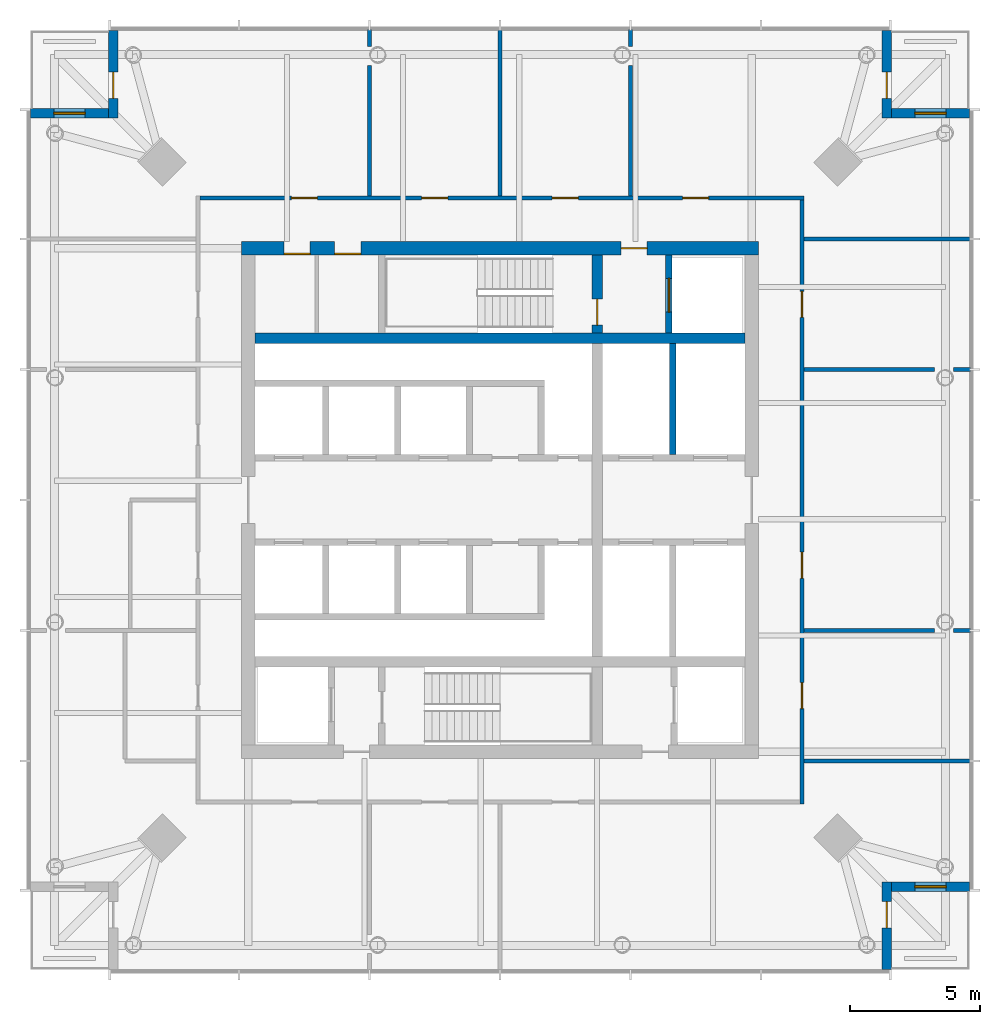
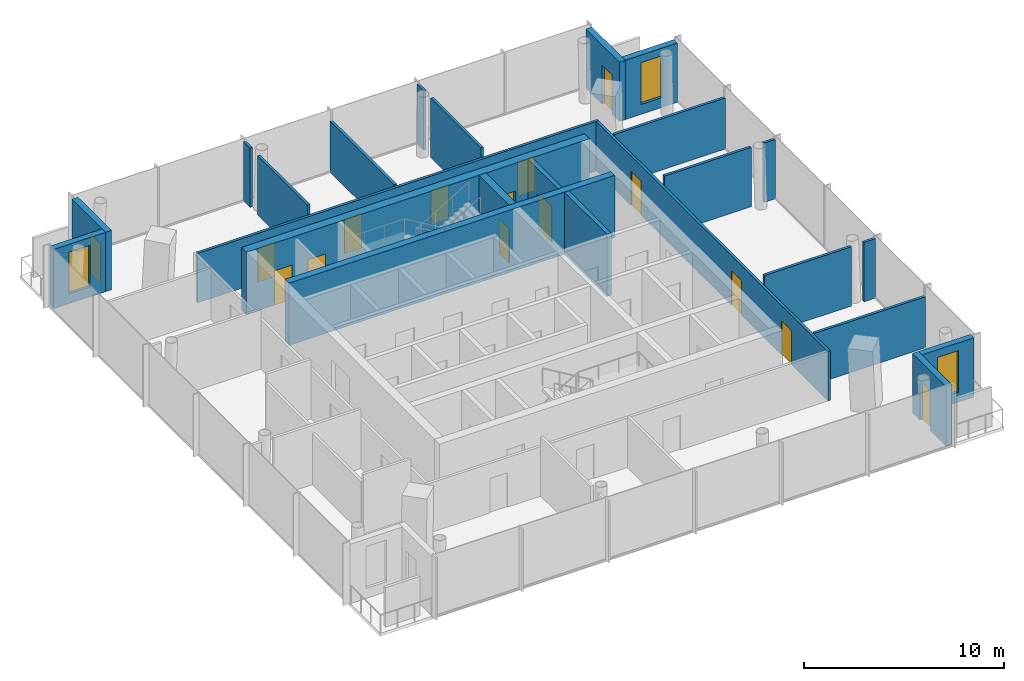
# One storey, part 5 of 7: 24 walls, 15 doors, 3 windows, 18 openings.
"""IFC4 building model written with IfcOpenShell, lengths in metres."""

from ifc_helpers import new_model, si_unit, direction, frame, frame_2d, origin, place, context, subcontext, project, spatial, rectangle, extrude, material, layer, layer_set, type_object, element, fill, save


model = new_model("IFC4")

# Units and contexts
model_context = context("Model", 3, precision=1e-05, world=origin(), true_north=direction((0.0, 1.0)))
body_context = subcontext(model_context, "Body", "Model", "MODEL_VIEW")
ifc_project = project(units=[si_unit("LENGTHUNIT", "METRE"), si_unit("AREAUNIT", "SQUARE_METRE"), si_unit("VOLUMEUNIT", "CUBIC_METRE"), si_unit("PLANEANGLEUNIT", "RADIAN"), si_unit("MASSUNIT", "GRAM", prefix="KILO")], contexts=[model_context])

# Site, building, storey
site_placement = place(None, origin())
site = spatial("IfcSite", under=ifc_project, at=site_placement, CompositionType="ELEMENT")
building_placement = place(site_placement, origin())
building = spatial("IfcBuilding", under=site, at=building_placement, Name="Ostroluk Exchange", CompositionType="ELEMENT")
storey_placement = place(building_placement, frame((0.0, 0.0, 237.60009765625)))
storey = spatial("IfcBuildingStorey", under=building, at=storey_placement, Name="L61", CompositionType="ELEMENT", Elevation=237.60009765625)

# Wall
ifc_material_1 = material(Name="Concrete C50/60", Category="concrete")
ifc_layer_1 = layer(ifc_material_1, 0.39990234375)
ifc_layer_set_1 = layer_set([ifc_layer_1], Name="Core cross wall 400 C50/60")
wall_type_1 = type_object("IfcWallType", Name="Core cross wall 400 C50/60", PredefinedType="SHEAR", material=ifc_layer_set_1)
wall_1_placement = place(storey_placement, frame((35.60009765625, 52.199951171875, 0.0), z_axis=(0.0, 0.0, 1.0), x_axis=(1.0, 0.0, 0.0)))
element("IfcWall", 1, at=wall_1_placement, inside=storey, type_object=wall_type_1, Name="T1 core wall XN", PredefinedType="SHEAR", context=body_context, shape_type="SweptSolid", body=[
    extrude(rectangle(XDim=18.7998046875, YDim=0.39990234375, at=frame_2d((9.39990234375, 0.0))), origin(), (0.0, 0.0, 1.0), 3.7998046875),
])

# Wall, opening, door
wall_2_placement = place(storey_placement, frame((48.72998046875, 52.39990234375, 0.0), z_axis=(0.0, 0.0, 1.0), x_axis=(0.0, 1.0, 0.0)))
wall_2 = element("IfcWall", 2, at=wall_2_placement, inside=storey, type_object=wall_type_1, Name="T1 core wall YE3", PredefinedType="SHEAR", context=body_context, shape_type="SweptSolid", body=[
    extrude(rectangle(XDim=3.0, YDim=0.39990234375, at=frame_2d((1.5, 0.0))), origin(), (0.0, 0.0, 1.0), 3.7998046875),
])
opening_1_placement = place(wall_2_placement, frame((0.300048828125, 0.0, 0.0)))
opening_1 = element("IfcOpeningElement", 3, at=opening_1_placement, cuts=wall_2, Name="Opening FD60", PredefinedType="OPENING", context=body_context, shape_type="SweptSolid", body=[
    extrude(rectangle(XDim=1.0, YDim=2.10009765625, at=frame_2d((0.5, 1.050048828125))), frame((0.0, 0.2099609375, 0.0), z_axis=(0.0, -1.0, 0.0), x_axis=(1.0, 0.0, 0.0)), (0.0, 0.0, 1.0), 0.419921875),
])
ifc_material_2 = material(Name="Steel", Category="steel")
door_type_1 = type_object("IfcDoorType", Name="Fire door EI 60 1000 x 2100", OperationType="SINGLE_SWING_LEFT", PredefinedType="DOOR", material=ifc_material_2)
door_1_placement = place(opening_1_placement, origin())
door_1 = element("IfcDoor", 4, at=door_1_placement, inside=storey, type_object=door_type_1, Name="Stair T1-S2 door", OperationType="SINGLE_SWING_LEFT", OverallHeight=2.10009765625, OverallWidth=1.0, PredefinedType="DOOR", context=body_context, shape_type="SweptSolid", body=[
    extrude(rectangle(XDim=1.0, YDim=2.10009765625, at=frame_2d((0.5, 1.050048828125))), frame((0.0, 0.02490234375, 0.0), z_axis=(0.0, -1.0, 0.0), x_axis=(1.0, 0.0, 0.0)), (0.0, 0.0, 1.0), 0.050048828125),
])
fill(opening_1, door_1)

ifc_material_3 = material(Name="Concrete C40/50", Category="concrete")
ifc_layer_2 = layer(ifc_material_3, 0.25)
ifc_layer_set_2 = layer_set([ifc_layer_2], Name="Core shaft wall 250")
wall_type_2 = type_object("IfcWallType", Name="Core shaft wall 250", PredefinedType="SHEAR", material=ifc_layer_set_2)
wall_3_placement = place(storey_placement, frame((51.47509765625, 52.39990234375, 0.0), z_axis=(0.0, 0.0, 1.0), x_axis=(0.0, 1.0, 0.0)))
wall_3 = element("IfcWall", 5, at=wall_3_placement, inside=storey, type_object=wall_type_2, Name="Firefighting lift shaft wall", PredefinedType="SHEAR", context=body_context, shape_type="SweptSolid", body=[
    extrude(rectangle(XDim=3.0, YDim=0.25, at=frame_2d((1.5, 0.0))), origin(), (0.0, 0.0, 1.0), 3.7998046875),
])
opening_2_placement = place(wall_3_placement, frame((0.800048828125, 0.0, 0.0)))
opening_2 = element("IfcOpeningElement", 6, at=opening_2_placement, cuts=wall_3, Name="Opening LD2", PredefinedType="OPENING", context=body_context, shape_type="SweptSolid", body=[
    extrude(rectangle(XDim=1.300048828125, YDim=2.199951171875, at=frame_2d((0.64990234375, 1.10009765625))), frame((0.0, 0.135009765625, 0.0), z_axis=(0.0, -1.0, 0.0), x_axis=(1.0, 0.0, 0.0)), (0.0, 0.0, 1.0), 0.27001953125),
])
ifc_material_4 = material(Name="Stainless steel", Category="steel")
door_type_2 = type_object("IfcDoorType", Name="Lift landing door E 60 1300 x 2200", OperationType="DOUBLE_DOOR_SLIDING", PredefinedType="DOOR", material=ifc_material_4)
door_2_placement = place(opening_2_placement, origin())
door_2 = element("IfcDoor", 7, at=door_2_placement, inside=storey, type_object=door_type_2, Name="Lift FL2 landing door", OperationType="DOUBLE_DOOR_SLIDING", OverallHeight=2.199951171875, OverallWidth=1.300048828125, PredefinedType="DOOR", context=body_context, shape_type="SweptSolid", body=[
    extrude(rectangle(XDim=1.300048828125, YDim=2.199951171875, at=frame_2d((0.64990234375, 1.10009765625))), frame((0.0, 0.02490234375, 0.0), z_axis=(0.0, -1.0, 0.0), x_axis=(1.0, 0.0, 0.0)), (0.0, 0.0, 1.0), 0.050048828125),
])
fill(opening_2, door_2)

# Wall
wall_4_placement = place(storey_placement, frame((51.614990234375, 47.75, 0.0), z_axis=(0.0, 0.0, 1.0), x_axis=(0.0, 1.0, 0.0)))
element("IfcWall", 8, at=wall_4_placement, inside=storey, type_object=wall_type_2, Name="Lift shaft wall", PredefinedType="SHEAR", context=body_context, shape_type="SweptSolid", body=[
    extrude(rectangle(XDim=4.25, YDim=0.25, at=frame_2d((2.125, 0.0))), origin(), (0.0, 0.0, 1.0), 3.7998046875),
])

# Wall, openings, doors
ifc_material_5 = material(Name="Concrete C50/60", Category="concrete")
ifc_layer_3 = layer(ifc_material_5, 0.5)
ifc_layer_set_3 = layer_set([ifc_layer_3], Name="Core wall 500 C50/60")
wall_type_3 = type_object("IfcWallType", Name="Core wall 500 C50/60", PredefinedType="SHEAR", material=ifc_layer_set_3)
wall_5_placement = place(storey_placement, frame((35.10009765625, 55.64990234375, 0.0), z_axis=(0.0, 0.0, 1.0), x_axis=(1.0, 0.0, 0.0)))
wall_5 = element("IfcWall", 9, at=wall_5_placement, inside=storey, type_object=wall_type_3, Name="T1 core wall N", PredefinedType="SHEAR", context=body_context, shape_type="SweptSolid", body=[
    extrude(rectangle(XDim=19.7998046875, YDim=0.5, at=frame_2d((9.89990234375, 0.0))), origin(), (0.0, 0.0, 1.0), 3.7998046875),
])
opening_3_placement = place(wall_5_placement, frame((14.5400390625, 0.0, 0.0)))
opening_3 = element("IfcOpeningElement", 10, at=opening_3_placement, cuts=wall_5, Name="Opening FD60", PredefinedType="OPENING", context=body_context, shape_type="SweptSolid", body=[
    extrude(rectangle(XDim=1.0, YDim=2.10009765625, at=frame_2d((0.5, 1.050048828125))), frame((0.0, 0.260009765625, 0.0), z_axis=(0.0, -1.0, 0.0), x_axis=(1.0, 0.0, 0.0)), (0.0, 0.0, 1.0), 0.52001953125),
])
opening_4_placement = place(wall_5_placement, frame((1.625, 0.0, 0.0)))
opening_4 = element("IfcOpeningElement", 11, at=opening_4_placement, cuts=wall_5, Name="Opening FD60", PredefinedType="OPENING", context=body_context, shape_type="SweptSolid", body=[
    extrude(rectangle(XDim=1.0, YDim=2.10009765625, at=frame_2d((0.5, 1.050048828125))), frame((0.0, 0.260009765625, 0.0), z_axis=(0.0, -1.0, 0.0), x_axis=(1.0, 0.0, 0.0)), (0.0, 0.0, 1.0), 0.52001953125),
])
opening_5_placement = place(wall_5_placement, frame((3.5625, 0.0, 0.0)))
opening_5 = element("IfcOpeningElement", 12, at=opening_5_placement, cuts=wall_5, Name="Opening FD60", PredefinedType="OPENING", context=body_context, shape_type="SweptSolid", body=[
    extrude(rectangle(XDim=1.0, YDim=2.10009765625, at=frame_2d((0.5, 1.050048828125))), frame((0.0, 0.260009765625, 0.0), z_axis=(0.0, -1.0, 0.0), x_axis=(1.0, 0.0, 0.0)), (0.0, 0.0, 1.0), 0.52001953125),
])
door_3_placement = place(opening_3_placement, origin())
door_3 = element("IfcDoor", 13, at=door_3_placement, inside=storey, type_object=door_type_1, Name="Firefighting lobby door", OperationType="SINGLE_SWING_RIGHT", OverallHeight=2.10009765625, OverallWidth=1.0, PredefinedType="DOOR", context=body_context, shape_type="SweptSolid", body=[
    extrude(rectangle(XDim=1.0, YDim=2.10009765625, at=frame_2d((0.5, 1.050048828125))), frame((0.0, 0.02490234375, 0.0), z_axis=(0.0, -1.0, 0.0), x_axis=(1.0, 0.0, 0.0)), (0.0, 0.0, 1.0), 0.050048828125),
])
fill(opening_3, door_3)
door_4_placement = place(opening_4_placement, origin())
door_4 = element("IfcDoor", 14, at=door_4_placement, inside=storey, type_object=door_type_1, Name="Tea point door", OperationType="SINGLE_SWING_LEFT", OverallHeight=2.10009765625, OverallWidth=1.0, PredefinedType="DOOR", context=body_context, shape_type="SweptSolid", body=[
    extrude(rectangle(XDim=1.0, YDim=2.10009765625, at=frame_2d((0.5, 1.050048828125))), frame((0.0, -0.18994140625, 0.0), z_axis=(0.0, -1.0, 0.0), x_axis=(1.0, 0.0, 0.0)), (0.0, 0.0, 1.0), 0.050048828125),
])
fill(opening_4, door_4)
door_5_placement = place(opening_5_placement, origin())
door_5 = element("IfcDoor", 15, at=door_5_placement, inside=storey, type_object=door_type_1, Name="Print and post room door", OperationType="SINGLE_SWING_LEFT", OverallHeight=2.10009765625, OverallWidth=1.0, PredefinedType="DOOR", context=body_context, shape_type="SweptSolid", body=[
    extrude(rectangle(XDim=1.0, YDim=2.10009765625, at=frame_2d((0.5, 1.050048828125))), frame((0.0, -0.18994140625, 0.0), z_axis=(0.0, -1.0, 0.0), x_axis=(1.0, 0.0, 0.0)), (0.0, 0.0, 1.0), 0.050048828125),
])
fill(opening_5, door_5)

# Wall, opening, door
ifc_material_6 = material(Name="Limestone", Category="masonry")
ifc_layer_4 = layer(ifc_material_6, 0.35009765625)
ifc_layer_set_4 = layer_set([ifc_layer_4], Name="Limestone facade wall 350")
wall_type_4 = type_object("IfcWallType", Name="Limestone facade wall 350", PredefinedType="SOLIDWALL", material=ifc_layer_set_4)
wall_6_placement = place(storey_placement, frame((59.824951171875, 28.0, 0.0), z_axis=(0.0, 0.0, 1.0), x_axis=(0.0, 1.0, 0.0)))
wall_6 = element("IfcWall", 16, at=wall_6_placement, inside=storey, type_object=wall_type_4, Name="Office tower SE corner wall L61 a", PredefinedType="SOLIDWALL", context=body_context, shape_type="SweptSolid", body=[
    extrude(rectangle(XDim=3.35009765625, YDim=0.35009765625, at=frame_2d((1.675048828125, 0.0))), origin(), (0.0, 0.0, 1.0), 3.619873046875),
])
opening_6_placement = place(wall_6_placement, frame((1.60009765625, 0.0, 0.0)))
opening_6 = element("IfcOpeningElement", 17, at=opening_6_placement, cuts=wall_6, Name="Opening D-B1", PredefinedType="OPENING", context=body_context, shape_type="SweptSolid", body=[
    extrude(rectangle(XDim=1.0, YDim=2.39990234375, at=frame_2d((0.5, 1.199951171875))), frame((0.0, 0.18505859375, 0.0), z_axis=(0.0, -1.0, 0.0), x_axis=(1.0, 0.0, 0.0)), (0.0, 0.0, 1.0), 0.3701171875),
])
ifc_material_7 = material(Name="Bronze framed glazed door", Category="aluminium")
door_type_3 = type_object("IfcDoorType", Name="Balcony door 1000 x 2400", OperationType="SINGLE_SWING_LEFT", PredefinedType="DOOR", material=ifc_material_7)
door_6_placement = place(opening_6_placement, origin())
door_6 = element("IfcDoor", 18, at=door_6_placement, inside=storey, type_object=door_type_3, Name="Office tower SE balcony door L61", OperationType="SINGLE_SWING_RIGHT", OverallHeight=2.39990234375, OverallWidth=1.0, PredefinedType="DOOR", context=body_context, shape_type="SweptSolid", body=[
    extrude(rectangle(XDim=1.0, YDim=2.39990234375, at=frame_2d((0.5, 1.199951171875))), frame((0.0, 0.02490234375, 0.0), z_axis=(0.0, -1.0, 0.0), x_axis=(1.0, 0.0, 0.0)), (0.0, 0.0, 1.0), 0.050048828125),
])
fill(opening_6, door_6)

# Wall, opening, window
wall_7_placement = place(storey_placement, frame((60.0, 31.175048828125, 0.0), z_axis=(0.0, 0.0, 1.0), x_axis=(1.0, 0.0, 0.0)))
wall_7 = element("IfcWall", 19, at=wall_7_placement, inside=storey, type_object=wall_type_4, Name="Office tower SE corner wall L61 b", PredefinedType="SOLIDWALL", context=body_context, shape_type="SweptSolid", body=[
    extrude(rectangle(XDim=3.0, YDim=0.35009765625, at=frame_2d((1.5, 0.0))), origin(), (0.0, 0.0, 1.0), 3.619873046875),
])
opening_7_placement = place(wall_7_placement, frame((0.89990234375, 0.0, 0.60009765625)))
opening_7 = element("IfcOpeningElement", 20, at=opening_7_placement, cuts=wall_7, Name="Opening WN-L1", PredefinedType="OPENING", context=body_context, shape_type="SweptSolid", body=[
    extrude(rectangle(XDim=1.199951171875, YDim=2.550048828125, at=frame_2d((0.60009765625, 1.27490234375))), frame((0.0, 0.18505859375, 0.0), z_axis=(0.0, -1.0, 0.0), x_axis=(1.0, 0.0, 0.0)), (0.0, 0.0, 1.0), 0.3701171875),
])
ifc_material_8 = material(Name="Laminated clear glass", Category="glass")
window_type = type_object("IfcWindowType", Name="Lancet window 1200 x 2550", PartitioningType="SINGLE_PANEL", PredefinedType="WINDOW", material=ifc_material_8)
window_1_placement = place(opening_7_placement, origin())
window_1 = element("IfcWindow", 21, at=window_1_placement, inside=storey, type_object=window_type, Name="Office tower SE lancet window L61", OverallHeight=2.550048828125, OverallWidth=1.199951171875, PartitioningType="SINGLE_PANEL", PredefinedType="WINDOW", context=body_context, shape_type="SweptSolid", body=[
    extrude(rectangle(XDim=1.199951171875, YDim=2.550048828125, at=frame_2d((0.60009765625, 1.27490234375))), frame((0.0, 0.030029296875, 0.0), z_axis=(0.0, -1.0, 0.0), x_axis=(1.0, 0.0, 0.0)), (0.0, 0.0, 1.0), 0.06005859375),
])
fill(opening_7, window_1)

# Wall, opening, door
wall_8_placement = place(storey_placement, frame((59.824951171875, 64.0, 0.0), z_axis=(0.0, 0.0, 1.0), x_axis=(0.0, -1.0, 0.0)))
wall_8 = element("IfcWall", 22, at=wall_8_placement, inside=storey, type_object=wall_type_4, Name="Office tower NE corner wall L61 a", PredefinedType="SOLIDWALL", context=body_context, shape_type="SweptSolid", body=[
    extrude(rectangle(XDim=3.35009765625, YDim=0.35009765625, at=frame_2d((1.675048828125, 0.0))), origin(), (0.0, 0.0, 1.0), 3.619873046875),
])
opening_8_placement = place(wall_8_placement, frame((1.60009765625, 0.0, 0.0)))
opening_8 = element("IfcOpeningElement", 23, at=opening_8_placement, cuts=wall_8, Name="Opening D-B1", PredefinedType="OPENING", context=body_context, shape_type="SweptSolid", body=[
    extrude(rectangle(XDim=1.0, YDim=2.39990234375, at=frame_2d((0.5, 1.199951171875))), frame((0.0, 0.18505859375, 0.0), z_axis=(0.0, -1.0, 0.0), x_axis=(1.0, 0.0, 0.0)), (0.0, 0.0, 1.0), 0.3701171875),
])
door_7_placement = place(opening_8_placement, origin())
door_7 = element("IfcDoor", 24, at=door_7_placement, inside=storey, type_object=door_type_3, Name="Office tower NE balcony door L61", OperationType="SINGLE_SWING_RIGHT", OverallHeight=2.39990234375, OverallWidth=1.0, PredefinedType="DOOR", context=body_context, shape_type="SweptSolid", body=[
    extrude(rectangle(XDim=1.0, YDim=2.39990234375, at=frame_2d((0.5, 1.199951171875))), frame((0.0, 0.02490234375, 0.0), z_axis=(0.0, -1.0, 0.0), x_axis=(1.0, 0.0, 0.0)), (0.0, 0.0, 1.0), 0.050048828125),
])
fill(opening_8, door_7)

# Wall, opening, window
wall_9_placement = place(storey_placement, frame((60.0, 60.824951171875, 0.0), z_axis=(0.0, 0.0, 1.0), x_axis=(1.0, 0.0, 0.0)))
wall_9 = element("IfcWall", 25, at=wall_9_placement, inside=storey, type_object=wall_type_4, Name="Office tower NE corner wall L61 b", PredefinedType="SOLIDWALL", context=body_context, shape_type="SweptSolid", body=[
    extrude(rectangle(XDim=3.0, YDim=0.35009765625, at=frame_2d((1.5, 0.0))), origin(), (0.0, 0.0, 1.0), 3.619873046875),
])
opening_9_placement = place(wall_9_placement, frame((0.89990234375, 0.0, 0.60009765625)))
opening_9 = element("IfcOpeningElement", 26, at=opening_9_placement, cuts=wall_9, Name="Opening WN-L1", PredefinedType="OPENING", context=body_context, shape_type="SweptSolid", body=[
    extrude(rectangle(XDim=1.199951171875, YDim=2.550048828125, at=frame_2d((0.60009765625, 1.27490234375))), frame((0.0, 0.18505859375, 0.0), z_axis=(0.0, -1.0, 0.0), x_axis=(1.0, 0.0, 0.0)), (0.0, 0.0, 1.0), 0.3701171875),
])
window_2_placement = place(opening_9_placement, origin())
window_2 = element("IfcWindow", 27, at=window_2_placement, inside=storey, type_object=window_type, Name="Office tower NE lancet window L61", OverallHeight=2.550048828125, OverallWidth=1.199951171875, PartitioningType="SINGLE_PANEL", PredefinedType="WINDOW", context=body_context, shape_type="SweptSolid", body=[
    extrude(rectangle(XDim=1.199951171875, YDim=2.550048828125, at=frame_2d((0.60009765625, 1.27490234375))), frame((0.0, 0.030029296875, 0.0), z_axis=(0.0, -1.0, 0.0), x_axis=(1.0, 0.0, 0.0)), (0.0, 0.0, 1.0), 0.06005859375),
])
fill(opening_9, window_2)

# Wall, opening, door
wall_10_placement = place(storey_placement, frame((30.175048828125, 64.0, 0.0), z_axis=(0.0, 0.0, 1.0), x_axis=(0.0, -1.0, 0.0)))
wall_10 = element("IfcWall", 28, at=wall_10_placement, inside=storey, type_object=wall_type_4, Name="Office tower NW corner wall L61 a", PredefinedType="SOLIDWALL", context=body_context, shape_type="SweptSolid", body=[
    extrude(rectangle(XDim=3.35009765625, YDim=0.35009765625, at=frame_2d((1.675048828125, 0.0))), origin(), (0.0, 0.0, 1.0), 3.619873046875),
])
opening_10_placement = place(wall_10_placement, frame((1.60009765625, 0.0, 0.0)))
opening_10 = element("IfcOpeningElement", 29, at=opening_10_placement, cuts=wall_10, Name="Opening D-B1", PredefinedType="OPENING", context=body_context, shape_type="SweptSolid", body=[
    extrude(rectangle(XDim=1.0, YDim=2.39990234375, at=frame_2d((0.5, 1.199951171875))), frame((0.0, 0.18505859375, 0.0), z_axis=(0.0, -1.0, 0.0), x_axis=(1.0, 0.0, 0.0)), (0.0, 0.0, 1.0), 0.3701171875),
])
door_8_placement = place(opening_10_placement, origin())
door_8 = element("IfcDoor", 30, at=door_8_placement, inside=storey, type_object=door_type_3, Name="Office tower NW balcony door L61", OperationType="SINGLE_SWING_RIGHT", OverallHeight=2.39990234375, OverallWidth=1.0, PredefinedType="DOOR", context=body_context, shape_type="SweptSolid", body=[
    extrude(rectangle(XDim=1.0, YDim=2.39990234375, at=frame_2d((0.5, 1.199951171875))), frame((0.0, 0.02490234375, 0.0), z_axis=(0.0, -1.0, 0.0), x_axis=(1.0, 0.0, 0.0)), (0.0, 0.0, 1.0), 0.050048828125),
])
fill(opening_10, door_8)

# Wall, opening, window
wall_11_placement = place(storey_placement, frame((30.0, 60.824951171875, 0.0), z_axis=(0.0, 0.0, 1.0), x_axis=(-1.0, 0.0, 0.0)))
wall_11 = element("IfcWall", 31, at=wall_11_placement, inside=storey, type_object=wall_type_4, Name="Office tower NW corner wall L61 b", PredefinedType="SOLIDWALL", context=body_context, shape_type="SweptSolid", body=[
    extrude(rectangle(XDim=3.0, YDim=0.35009765625, at=frame_2d((1.5, 0.0))), origin(), (0.0, 0.0, 1.0), 3.619873046875),
])
opening_11_placement = place(wall_11_placement, frame((0.89990234375, 0.0, 0.60009765625)))
opening_11 = element("IfcOpeningElement", 32, at=opening_11_placement, cuts=wall_11, Name="Opening WN-L1", PredefinedType="OPENING", context=body_context, shape_type="SweptSolid", body=[
    extrude(rectangle(XDim=1.199951171875, YDim=2.550048828125, at=frame_2d((0.60009765625, 1.27490234375))), frame((0.0, 0.18505859375, 0.0), z_axis=(0.0, -1.0, 0.0), x_axis=(1.0, 0.0, 0.0)), (0.0, 0.0, 1.0), 0.3701171875),
])
window_3_placement = place(opening_11_placement, origin())
window_3 = element("IfcWindow", 33, at=window_3_placement, inside=storey, type_object=window_type, Name="Office tower NW lancet window L61", OverallHeight=2.550048828125, OverallWidth=1.199951171875, PartitioningType="SINGLE_PANEL", PredefinedType="WINDOW", context=body_context, shape_type="SweptSolid", body=[
    extrude(rectangle(XDim=1.199951171875, YDim=2.550048828125, at=frame_2d((0.60009765625, 1.27490234375))), frame((0.0, 0.030029296875, 0.0), z_axis=(0.0, -1.0, 0.0), x_axis=(1.0, 0.0, 0.0)), (0.0, 0.0, 1.0), 0.06005859375),
])
fill(opening_11, window_3)

# Wall, openings, doors
ifc_material_9 = material(Name="Gypsum plasterboard partition", Category="gypsum")
ifc_layer_5 = layer(ifc_material_9, 0.14990234375)
ifc_layer_set_5 = layer_set([ifc_layer_5], Name="Plasterboard partition 150")
wall_type_5 = type_object("IfcWallType", Name="Plasterboard partition 150", PredefinedType="PARTITIONING", material=ifc_layer_set_5)
wall_12_placement = place(storey_placement, frame((56.574951171875, 34.35009765625, 0.0), z_axis=(0.0, 0.0, 1.0), x_axis=(0.0, 1.0, 0.0)))
wall_12 = element("IfcWall", 34, at=wall_12_placement, inside=storey, type_object=wall_type_5, Name="Partition", PredefinedType="PARTITIONING", context=body_context, shape_type="SweptSolid", body=[
    extrude(rectangle(XDim=23.14990234375, YDim=0.14990234375, at=frame_2d((11.574951171875, 0.0))), origin(), (0.0, 0.0, 1.0), 3.02001953125),
])
opening_12_placement = place(wall_12_placement, frame((3.64990234375, 0.0, 0.0)))
opening_12 = element("IfcOpeningElement", 35, at=opening_12_placement, cuts=wall_12, Name="Opening D-03", PredefinedType="OPENING", context=body_context, shape_type="SweptSolid", body=[
    extrude(rectangle(XDim=1.0, YDim=2.10009765625, at=frame_2d((0.5, 1.050048828125))), frame((0.0, 0.0849609375, 0.0), z_axis=(0.0, -1.0, 0.0), x_axis=(1.0, 0.0, 0.0)), (0.0, 0.0, 1.0), 0.169921875),
])
opening_13_placement = place(wall_12_placement, frame((8.64990234375, 0.0, 0.0)))
opening_13 = element("IfcOpeningElement", 36, at=opening_13_placement, cuts=wall_12, Name="Opening D-03", PredefinedType="OPENING", context=body_context, shape_type="SweptSolid", body=[
    extrude(rectangle(XDim=1.0, YDim=2.10009765625, at=frame_2d((0.5, 1.050048828125))), frame((0.0, 0.0849609375, 0.0), z_axis=(0.0, -1.0, 0.0), x_axis=(1.0, 0.0, 0.0)), (0.0, 0.0, 1.0), 0.169921875),
])
opening_14_placement = place(wall_12_placement, frame((18.64990234375, 0.0, 0.0)))
opening_14 = element("IfcOpeningElement", 37, at=opening_14_placement, cuts=wall_12, Name="Opening D-03", PredefinedType="OPENING", context=body_context, shape_type="SweptSolid", body=[
    extrude(rectangle(XDim=1.0, YDim=2.10009765625, at=frame_2d((0.5, 1.050048828125))), frame((0.0, 0.0849609375, 0.0), z_axis=(0.0, -1.0, 0.0), x_axis=(1.0, 0.0, 0.0)), (0.0, 0.0, 1.0), 0.169921875),
])
ifc_material_10 = material(Name="Timber", Category="wood")
door_type_4 = type_object("IfcDoorType", Name="Internal door 1000 x 2100", OperationType="SINGLE_SWING_LEFT", PredefinedType="DOOR", material=ifc_material_10)
door_9_placement = place(opening_12_placement, origin())
door_9 = element("IfcDoor", 38, at=door_9_placement, inside=storey, type_object=door_type_4, Name="Office door", OperationType="SINGLE_SWING_LEFT", OverallHeight=2.10009765625, OverallWidth=1.0, PredefinedType="DOOR", context=body_context, shape_type="SweptSolid", body=[
    extrude(rectangle(XDim=1.0, YDim=2.10009765625, at=frame_2d((0.5, 1.050048828125))), frame((0.0, 0.02490234375, 0.0), z_axis=(0.0, -1.0, 0.0), x_axis=(1.0, 0.0, 0.0)), (0.0, 0.0, 1.0), 0.050048828125),
])
fill(opening_12, door_9)
door_10_placement = place(opening_13_placement, origin())
door_10 = element("IfcDoor", 39, at=door_10_placement, inside=storey, type_object=door_type_4, Name="Executive office door", OperationType="SINGLE_SWING_LEFT", OverallHeight=2.10009765625, OverallWidth=1.0, PredefinedType="DOOR", context=body_context, shape_type="SweptSolid", body=[
    extrude(rectangle(XDim=1.0, YDim=2.10009765625, at=frame_2d((0.5, 1.050048828125))), frame((0.0, 0.02490234375, 0.0), z_axis=(0.0, -1.0, 0.0), x_axis=(1.0, 0.0, 0.0)), (0.0, 0.0, 1.0), 0.050048828125),
])
fill(opening_13, door_10)
door_11_placement = place(opening_14_placement, origin())
door_11 = element("IfcDoor", 40, at=door_11_placement, inside=storey, type_object=door_type_4, Name="Office door", OperationType="SINGLE_SWING_RIGHT", OverallHeight=2.10009765625, OverallWidth=1.0, PredefinedType="DOOR", context=body_context, shape_type="SweptSolid", body=[
    extrude(rectangle(XDim=1.0, YDim=2.10009765625, at=frame_2d((0.5, 1.050048828125))), frame((0.0, 0.02490234375, 0.0), z_axis=(0.0, -1.0, 0.0), x_axis=(1.0, 0.0, 0.0)), (0.0, 0.0, 1.0), 0.050048828125),
])
fill(opening_14, door_11)

# Walls
wall_13_placement = place(storey_placement, frame((56.64990234375, 36.0, 0.0), z_axis=(0.0, 0.0, 1.0), x_axis=(1.0, 0.0, 0.0)))
element("IfcWall", 41, at=wall_13_placement, inside=storey, type_object=wall_type_5, Name="Partition", PredefinedType="PARTITIONING", context=body_context, shape_type="SweptSolid", body=[
    extrude(rectangle(XDim=6.39013671875, YDim=0.14990234375, at=frame_2d((3.195068359375, 0.0))), origin(), (0.0, 0.0, 1.0), 3.119873046875),
])
wall_14_placement = place(storey_placement, frame((56.64990234375, 41.0, 0.0), z_axis=(0.0, 0.0, 1.0), x_axis=(1.0, 0.0, 0.0)))
element("IfcWall", 42, at=wall_14_placement, inside=storey, type_object=wall_type_5, Name="Partition", PredefinedType="PARTITIONING", context=body_context, shape_type="SweptSolid", body=[
    extrude(rectangle(XDim=5.002197265625, YDim=0.14990234375, at=frame_2d((2.5009765625, 0.0))), origin(), (0.0, 0.0, 1.0), 3.619873046875),
])
wall_15_placement = place(storey_placement, frame((62.383544921875, 41.0, 0.0), z_axis=(0.0, 0.0, 1.0), x_axis=(1.0, 0.0, 0.0)))
element("IfcWall", 43, at=wall_15_placement, inside=storey, type_object=wall_type_5, Name="Partition", PredefinedType="PARTITIONING", context=body_context, shape_type="SweptSolid", body=[
    extrude(rectangle(XDim=0.656494140625, YDim=0.14990234375, at=frame_2d((0.328125, 0.0))), origin(), (0.0, 0.0, 1.0), 3.619873046875),
])
wall_16_placement = place(storey_placement, frame((56.64990234375, 51.0, 0.0), z_axis=(0.0, 0.0, 1.0), x_axis=(1.0, 0.0, 0.0)))
element("IfcWall", 44, at=wall_16_placement, inside=storey, type_object=wall_type_5, Name="Partition", PredefinedType="PARTITIONING", context=body_context, shape_type="SweptSolid", body=[
    extrude(rectangle(XDim=5.002197265625, YDim=0.14990234375, at=frame_2d((2.5009765625, 0.0))), origin(), (0.0, 0.0, 1.0), 3.619873046875),
])
wall_17_placement = place(storey_placement, frame((62.383544921875, 51.0, 0.0), z_axis=(0.0, 0.0, 1.0), x_axis=(1.0, 0.0, 0.0)))
element("IfcWall", 45, at=wall_17_placement, inside=storey, type_object=wall_type_5, Name="Partition", PredefinedType="PARTITIONING", context=body_context, shape_type="SweptSolid", body=[
    extrude(rectangle(XDim=0.656494140625, YDim=0.14990234375, at=frame_2d((0.328125, 0.0))), origin(), (0.0, 0.0, 1.0), 3.619873046875),
])
wall_18_placement = place(storey_placement, frame((56.64990234375, 56.0, 0.0), z_axis=(0.0, 0.0, 1.0), x_axis=(1.0, 0.0, 0.0)))
element("IfcWall", 46, at=wall_18_placement, inside=storey, type_object=wall_type_5, Name="Partition", PredefinedType="PARTITIONING", context=body_context, shape_type="SweptSolid", body=[
    extrude(rectangle(XDim=6.39013671875, YDim=0.14990234375, at=frame_2d((3.195068359375, 0.0))), origin(), (0.0, 0.0, 1.0), 3.119873046875),
])

# Wall, openings, doors
wall_19_placement = place(storey_placement, frame((56.64990234375, 57.574951171875, 0.0), z_axis=(0.0, 0.0, 1.0), x_axis=(-1.0, 0.0, 0.0)))
wall_19 = element("IfcWall", 47, at=wall_19_placement, inside=storey, type_object=wall_type_5, Name="Partition", PredefinedType="PARTITIONING", context=body_context, shape_type="SweptSolid", body=[
    extrude(rectangle(XDim=23.14990234375, YDim=0.14990234375, at=frame_2d((11.574951171875, 0.0))), origin(), (0.0, 0.0, 1.0), 3.02001953125),
])
opening_15_placement = place(wall_19_placement, frame((3.64990234375, 0.0, 0.0)))
opening_15 = element("IfcOpeningElement", 48, at=opening_15_placement, cuts=wall_19, Name="Opening D-03", PredefinedType="OPENING", context=body_context, shape_type="SweptSolid", body=[
    extrude(rectangle(XDim=1.0, YDim=2.10009765625, at=frame_2d((0.5, 1.050048828125))), frame((0.0, 0.0849609375, 0.0), z_axis=(0.0, -1.0, 0.0), x_axis=(1.0, 0.0, 0.0)), (0.0, 0.0, 1.0), 0.169921875),
])
opening_16_placement = place(wall_19_placement, frame((8.64990234375, 0.0, 0.0)))
opening_16 = element("IfcOpeningElement", 49, at=opening_16_placement, cuts=wall_19, Name="Opening D-03", PredefinedType="OPENING", context=body_context, shape_type="SweptSolid", body=[
    extrude(rectangle(XDim=1.0, YDim=2.10009765625, at=frame_2d((0.5, 1.050048828125))), frame((0.0, 0.0849609375, 0.0), z_axis=(0.0, -1.0, 0.0), x_axis=(1.0, 0.0, 0.0)), (0.0, 0.0, 1.0), 0.169921875),
])
opening_17_placement = place(wall_19_placement, frame((13.64990234375, 0.0, 0.0)))
opening_17 = element("IfcOpeningElement", 50, at=opening_17_placement, cuts=wall_19, Name="Opening D-03", PredefinedType="OPENING", context=body_context, shape_type="SweptSolid", body=[
    extrude(rectangle(XDim=1.0, YDim=2.10009765625, at=frame_2d((0.5, 1.050048828125))), frame((0.0, 0.0849609375, 0.0), z_axis=(0.0, -1.0, 0.0), x_axis=(1.0, 0.0, 0.0)), (0.0, 0.0, 1.0), 0.169921875),
])
opening_18_placement = place(wall_19_placement, frame((18.64990234375, 0.0, 0.0)))
opening_18 = element("IfcOpeningElement", 51, at=opening_18_placement, cuts=wall_19, Name="Opening D-03", PredefinedType="OPENING", context=body_context, shape_type="SweptSolid", body=[
    extrude(rectangle(XDim=1.0, YDim=2.10009765625, at=frame_2d((0.5, 1.050048828125))), frame((0.0, 0.0849609375, 0.0), z_axis=(0.0, -1.0, 0.0), x_axis=(1.0, 0.0, 0.0)), (0.0, 0.0, 1.0), 0.169921875),
])
door_12_placement = place(opening_15_placement, origin())
door_12 = element("IfcDoor", 52, at=door_12_placement, inside=storey, type_object=door_type_4, Name="Corner office door", OperationType="SINGLE_SWING_LEFT", OverallHeight=2.10009765625, OverallWidth=1.0, PredefinedType="DOOR", context=body_context, shape_type="SweptSolid", body=[
    extrude(rectangle(XDim=1.0, YDim=2.10009765625, at=frame_2d((0.5, 1.050048828125))), frame((0.0, 0.02490234375, 0.0), z_axis=(0.0, -1.0, 0.0), x_axis=(1.0, 0.0, 0.0)), (0.0, 0.0, 1.0), 0.050048828125),
])
fill(opening_15, door_12)
door_13_placement = place(opening_16_placement, origin())
door_13 = element("IfcDoor", 53, at=door_13_placement, inside=storey, type_object=door_type_4, Name="Office door", OperationType="SINGLE_SWING_LEFT", OverallHeight=2.10009765625, OverallWidth=1.0, PredefinedType="DOOR", context=body_context, shape_type="SweptSolid", body=[
    extrude(rectangle(XDim=1.0, YDim=2.10009765625, at=frame_2d((0.5, 1.050048828125))), frame((0.0, 0.02490234375, 0.0), z_axis=(0.0, -1.0, 0.0), x_axis=(1.0, 0.0, 0.0)), (0.0, 0.0, 1.0), 0.050048828125),
])
fill(opening_16, door_13)
door_14_placement = place(opening_17_placement, origin())
door_14 = element("IfcDoor", 54, at=door_14_placement, inside=storey, type_object=door_type_4, Name="Office door", OperationType="SINGLE_SWING_RIGHT", OverallHeight=2.10009765625, OverallWidth=1.0, PredefinedType="DOOR", context=body_context, shape_type="SweptSolid", body=[
    extrude(rectangle(XDim=1.0, YDim=2.10009765625, at=frame_2d((0.5, 1.050048828125))), frame((0.0, 0.02490234375, 0.0), z_axis=(0.0, -1.0, 0.0), x_axis=(1.0, 0.0, 0.0)), (0.0, 0.0, 1.0), 0.050048828125),
])
fill(opening_17, door_14)
door_15_placement = place(opening_18_placement, origin())
door_15 = element("IfcDoor", 55, at=door_15_placement, inside=storey, type_object=door_type_4, Name="Office door", OperationType="SINGLE_SWING_RIGHT", OverallHeight=2.10009765625, OverallWidth=1.0, PredefinedType="DOOR", context=body_context, shape_type="SweptSolid", body=[
    extrude(rectangle(XDim=1.0, YDim=2.10009765625, at=frame_2d((0.5, 1.050048828125))), frame((0.0, 0.02490234375, 0.0), z_axis=(0.0, -1.0, 0.0), x_axis=(1.0, 0.0, 0.0)), (0.0, 0.0, 1.0), 0.050048828125),
])
fill(opening_18, door_15)

# Walls
wall_20_placement = place(storey_placement, frame((50.0, 57.64990234375, 0.0), z_axis=(0.0, 0.0, 1.0), x_axis=(0.0, 1.0, 0.0)))
element("IfcWall", 56, at=wall_20_placement, inside=storey, type_object=wall_type_5, Name="Partition", PredefinedType="PARTITIONING", context=body_context, shape_type="SweptSolid", body=[
    extrude(rectangle(XDim=5.002197265625, YDim=0.14990234375, at=frame_2d((2.5009765625, 0.0))), origin(), (0.0, 0.0, 1.0), 3.619873046875),
])
wall_21_placement = place(storey_placement, frame((50.0, 63.383544921875, 0.0), z_axis=(0.0, 0.0, 1.0), x_axis=(0.0, 1.0, 0.0)))
element("IfcWall", 57, at=wall_21_placement, inside=storey, type_object=wall_type_5, Name="Partition", PredefinedType="PARTITIONING", context=body_context, shape_type="SweptSolid", body=[
    extrude(rectangle(XDim=0.656494140625, YDim=0.14990234375, at=frame_2d((0.328125, 0.0))), origin(), (0.0, 0.0, 1.0), 3.619873046875),
])
wall_22_placement = place(storey_placement, frame((45.0, 57.64990234375, 0.0), z_axis=(0.0, 0.0, 1.0), x_axis=(0.0, 1.0, 0.0)))
element("IfcWall", 58, at=wall_22_placement, inside=storey, type_object=wall_type_5, Name="Partition", PredefinedType="PARTITIONING", context=body_context, shape_type="SweptSolid", body=[
    extrude(rectangle(XDim=6.39013671875, YDim=0.14990234375, at=frame_2d((3.195068359375, 0.0))), origin(), (0.0, 0.0, 1.0), 3.119873046875),
])
wall_23_placement = place(storey_placement, frame((40.0, 57.64990234375, 0.0), z_axis=(0.0, 0.0, 1.0), x_axis=(0.0, 1.0, 0.0)))
element("IfcWall", 59, at=wall_23_placement, inside=storey, type_object=wall_type_5, Name="Partition", PredefinedType="PARTITIONING", context=body_context, shape_type="SweptSolid", body=[
    extrude(rectangle(XDim=5.002197265625, YDim=0.14990234375, at=frame_2d((2.5009765625, 0.0))), origin(), (0.0, 0.0, 1.0), 3.619873046875),
])
wall_24_placement = place(storey_placement, frame((40.0, 63.383544921875, 0.0), z_axis=(0.0, 0.0, 1.0), x_axis=(0.0, 1.0, 0.0)))
element("IfcWall", 60, at=wall_24_placement, inside=storey, type_object=wall_type_5, Name="Partition", PredefinedType="PARTITIONING", context=body_context, shape_type="SweptSolid", body=[
    extrude(rectangle(XDim=0.656494140625, YDim=0.14990234375, at=frame_2d((0.328125, 0.0))), origin(), (0.0, 0.0, 1.0), 3.619873046875),
])

save(model, "model.ifc")
